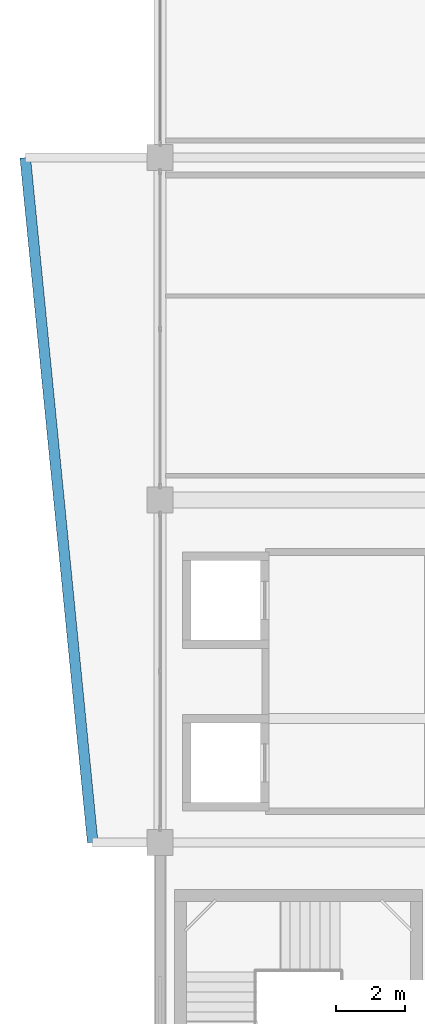
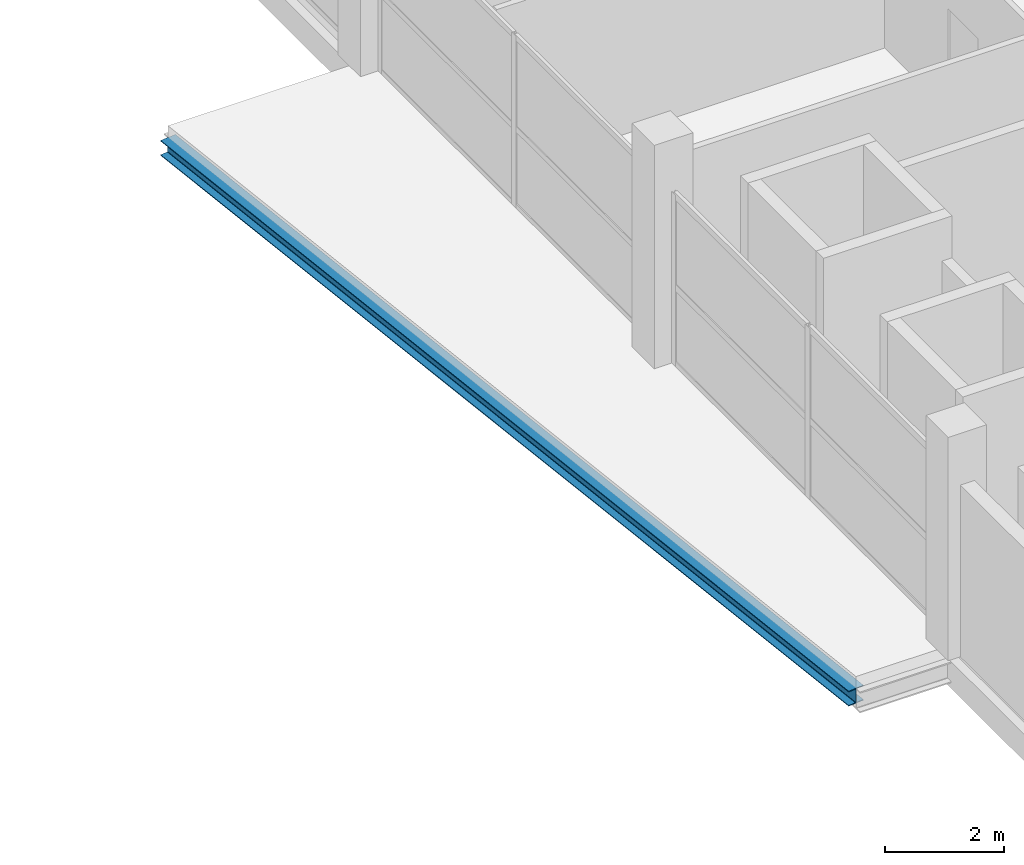
# One storey, part 9 of 55: 1 beam.
"""IFC4 building model written with IfcOpenShell, lengths in metres."""

from ifc_helpers import new_model, si_unit, direction, frame, origin, origin_2d, place, context, subcontext, project, spatial, i_section, extrude, material, material_profile, profile_set, type_object, element, save


model = new_model("IFC4")

# Units and contexts
model_context = context("Model", 3, precision=1e-05, world=origin(), true_north=direction((0.0, 1.0)))
body_context = subcontext(model_context, "Body", "Model", "MODEL_VIEW")
ifc_project = project(units=[si_unit("LENGTHUNIT", "METRE"), si_unit("AREAUNIT", "SQUARE_METRE"), si_unit("VOLUMEUNIT", "CUBIC_METRE"), si_unit("PLANEANGLEUNIT", "RADIAN"), si_unit("MASSUNIT", "GRAM", prefix="KILO")], contexts=[model_context])

# Site, building, storey
site_placement = place(None, origin())
site = spatial("IfcSite", under=ifc_project, at=site_placement, CompositionType="ELEMENT")
building_placement = place(site_placement, origin())
building = spatial("IfcBuilding", under=site, at=building_placement, Name="Sillaruma Civic Art Gallery", CompositionType="ELEMENT")
storey_placement = place(building_placement, frame((0.0, 0.0, 37.739990234375)))
storey = spatial("IfcBuildingStorey", under=building, at=storey_placement, Name="L07", CompositionType="ELEMENT", Elevation=37.739990234375)

# Beam
ifc_material = material(Name="Structural Steel ASTM A992 Gr.50", Category="steel")
ifc_material_profile = material_profile(ifc_material, i_section(OverallWidth=0.305908203125, OverallDepth=0.31103515625, WebThickness=0.010986328125, FlangeThickness=0.01708984375, FilletRadius=0.014892578125, at=origin_2d()), Name="W310x107")
ifc_profile_set = profile_set([ifc_material_profile], Name="Structural Steel ASTM A992 Gr.50")
beam_type = type_object("IfcBeamType", Name="BM-PROW-W310x107", PredefinedType="SPANDREL", material=ifc_profile_set)
beam_placement = place(storey_placement, frame((60.050048828125, 39.60009765625, -0.3955078125), z_axis=(-0.098009206569, 0.995185508047, 0.0), x_axis=(-0.995185508047, -0.098009206569, 0.0)))
element("IfcBeam", 1, at=beam_placement, inside=storey, type_object=beam_type, Name="Angled Prow Edge Spandrel (PRW-L06-W-ROF)", PredefinedType="SPANDREL", context=body_context, shape_type="SweptSolid", body=[
    extrude(i_section(OverallWidth=0.305908203125, OverallDepth=0.31103515625, WebThickness=0.010986328125, FlangeThickness=0.01708984375, FilletRadius=0.014892578125, at=origin_2d()), origin(), (0.0, 0.0, 1.0), 19.8955078125),
])

save(model, "model.ifc")
